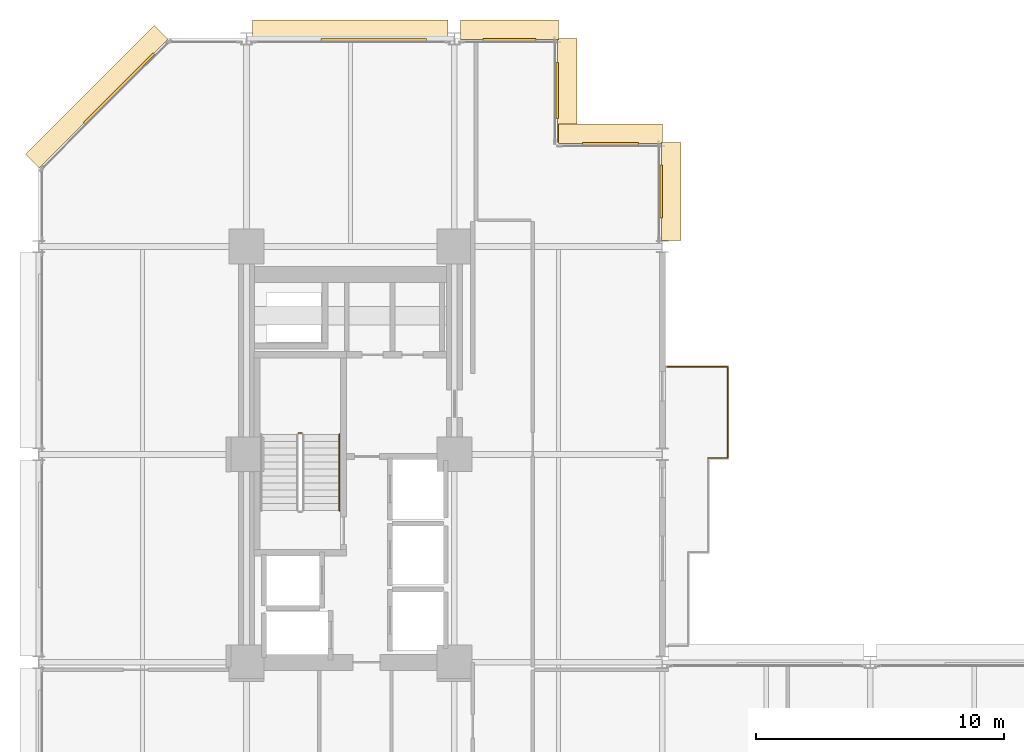
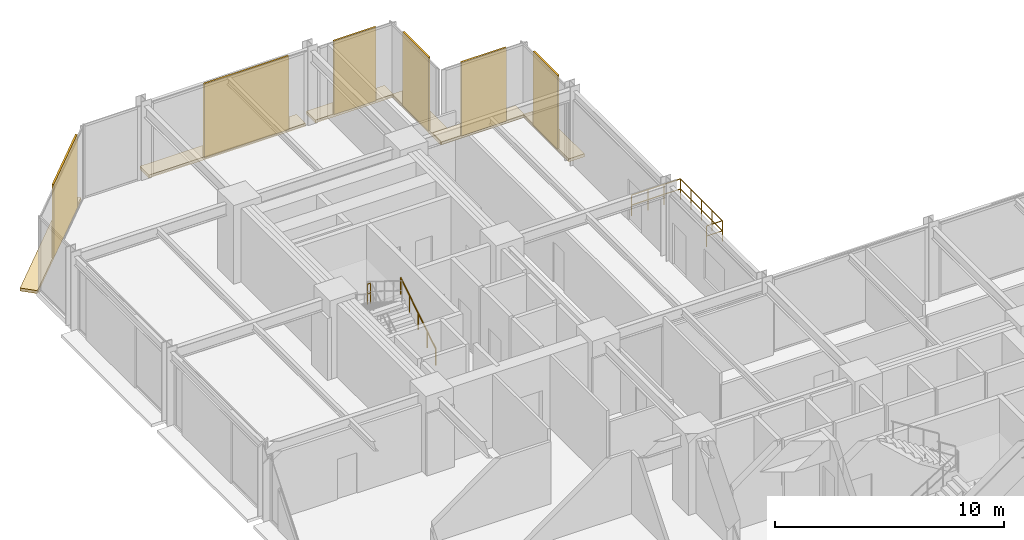
# One storey, part 25 of 25: 12 coverings, 5 railings.
"""IFC4 building model written with IfcOpenShell, lengths in metres."""

import ifcopenshell
import ifcopenshell.guid

model = None  # the IFC model being written
_history = None  # IfcOwnerHistory: only IFC2X3 demands one
_inside = {}  # id of a spatial element -> (the spatial element, [elements in it])
_under = {}  # id of a project, library or spatial element -> (it, [spatial elements below it])
_declared = {}  # id of a project -> (the project, [libraries it declares])
_typed = {}  # id of a type object -> (the type object, [elements of that type])
_made_of = {}  # id of a material, layer set ... -> (it, [elements and type objects made of it])


def new_model(schema):
    """Start an empty IFC model of exactly this schema.

    Asked for "IFC4X3", IfcOpenShell would pick the latest addendum, in which some entities
    have other attributes; the version numbers below select the first issue.
    IFC2X3 requires an IfcOwnerHistory on every rooted entity: one is made here for all.
    """
    global model, _history
    if schema == "IFC4X3":
        model = ifcopenshell.file(schema_version=(4, 3, 0, 0))
    else:
        model = ifcopenshell.file(schema=schema)
    _inside.clear()
    _under.clear()
    _declared.clear()
    _typed.clear()
    _made_of.clear()
    _history = None
    if model.schema == "IFC2X3":
        org = make("IfcOrganization", Name="unknown")
        user = make(
            "IfcPersonAndOrganization",
            ThePerson=make("IfcPerson", FamilyName="unknown"),
            TheOrganization=org,
        )
        app = make(
            "IfcApplication",
            ApplicationDeveloper=org,
            Version="unknown",
            ApplicationFullName="unknown",
            ApplicationIdentifier="unknown",
        )
        _history = make(
            "IfcOwnerHistory",
            OwningUser=user,
            OwningApplication=app,
            ChangeAction="ADDED",
            CreationDate=0,
        )
    return model


def make(cls, **values):
    """One entity of the class cls with the attributes given. An attribute that is None is left unset."""
    return model.create_entity(
        cls, **{name: value for name, value in values.items() if value is not None}
    )


def rooted(cls, **values):
    """An entity with a GlobalId (a new one), such as an element, a storey or a relation."""
    return make(cls, GlobalId=ifcopenshell.guid.new(), OwnerHistory=_history, **values)


def si_unit(unit_type, name, prefix=None):
    """IfcSIUnit, for example si_unit("LENGTHUNIT", "METRE", prefix="MILLI")."""
    return make("IfcSIUnit", UnitType=unit_type, Prefix=prefix, Name=name)


def assignment(units):
    """IfcUnitAssignment: the units of a project."""
    return None if units is None else make("IfcUnitAssignment", Units=units)


def point(xyz):
    """IfcCartesianPoint."""
    return None if xyz is None else make("IfcCartesianPoint", Coordinates=xyz)


def direction(xyz):
    """IfcDirection."""
    return None if xyz is None else make("IfcDirection", DirectionRatios=xyz)


def frame(location, z_axis=None, x_axis=None):
    """IfcAxis2Placement3D, a coordinate frame: its origin and axes. An axis left out is left unset."""
    return make(
        "IfcAxis2Placement3D",
        Location=point(location),
        Axis=direction(z_axis),
        RefDirection=direction(x_axis),
    )


def frame_2d(location, x_axis=None):
    """IfcAxis2Placement2D, a coordinate frame in the plane: its origin and x axis."""
    return make(
        "IfcAxis2Placement2D", Location=point(location), RefDirection=direction(x_axis)
    )


def origin():
    """The frame at (0, 0, 0) with its axes left unset."""
    return frame((0.0, 0.0, 0.0))


def origin_2d():
    """The frame at (0, 0) in the plane with its x axis left unset."""
    return frame_2d((0.0, 0.0))


def place(relative_to, where):
    """IfcLocalPlacement: puts the frame where relative to a parent placement (None: the world)."""
    return make(
        "IfcLocalPlacement", PlacementRelTo=relative_to, RelativePlacement=where
    )


def context(
    kind, dimensions, precision=None, world=None, true_north=None, identifier=None
):
    """IfcGeometricRepresentationContext, for example the 3D "Model" context."""
    return make(
        "IfcGeometricRepresentationContext",
        ContextIdentifier=identifier,
        ContextType=kind,
        CoordinateSpaceDimension=dimensions,
        Precision=precision,
        WorldCoordinateSystem=world,
        TrueNorth=true_north,
    )


def subcontext(parent, identifier, kind, view, scale=None):
    """IfcGeometricRepresentationSubContext, for example "Body" below "Model"."""
    return make(
        "IfcGeometricRepresentationSubContext",
        ContextIdentifier=identifier,
        ContextType=kind,
        ParentContext=parent,
        TargetScale=scale,
        TargetView=view,
    )


def project(units=None, contexts=None):
    """IfcProject with its units and contexts."""
    return rooted(
        "IfcProject",
        Name="project",
        RepresentationContexts=contexts,
        UnitsInContext=assignment(units),
    )


def spatial(cls, under=None, at=None, **own):
    """A site, building, storey or space (cls), placed at a placement, below another one or the project."""
    s = rooted(cls, ObjectPlacement=at, **own)
    if under is not None:
        _under.setdefault(under.id(), (under, []))[1].append(s)
    return s


def polyline(points):
    """IfcPolyline through the points."""
    return make("IfcPolyline", Points=[point(p) for p in points])


def profile(cls, at=None, kind="AREA", **sizes):
    """A parametric profile (cls). Its sizes go by their IFC names, for example OverallWidth=200.0."""
    return make(cls, ProfileType=kind, Position=at, **sizes)


def rectangle(**sizes):
    """IfcRectangleProfileDef."""
    return profile("IfcRectangleProfileDef", **sizes)


def circle(**sizes):
    """IfcCircleProfileDef."""
    return profile("IfcCircleProfileDef", **sizes)


def outline(outer, holes=None, kind="AREA"):
    """IfcArbitraryClosedProfileDef: a profile drawn as a closed curve; with holes, ...WithVoids."""
    if holes is None:
        return make("IfcArbitraryClosedProfileDef", ProfileType=kind, OuterCurve=outer)
    return make(
        "IfcArbitraryProfileDefWithVoids",
        ProfileType=kind,
        OuterCurve=outer,
        InnerCurves=holes,
    )


def extrude(swept, where, along, depth):
    """IfcExtrudedAreaSolid: the profile swept, set in the frame where, extruded along a direction by depth."""
    return make(
        "IfcExtrudedAreaSolid",
        SweptArea=swept,
        Position=where,
        ExtrudedDirection=direction(along),
        Depth=depth,
    )


def shape(context_of_items, identifier, shape_type, items):
    """IfcShapeRepresentation: the items that make up one representation, for example the "Body"."""
    return make(
        "IfcShapeRepresentation",
        ContextOfItems=context_of_items,
        RepresentationIdentifier=identifier,
        RepresentationType=shape_type,
        Items=items,
    )


def material(Name=None, Category=None):
    """IfcMaterial."""
    return make("IfcMaterial", Name=Name, Category=Category)


def layer(
    of_material, thickness, ventilated=None, Name=None, Category=None, Priority=None
):
    """IfcMaterialLayer: one layer of a wall or slab, of a material (None: an air gap)."""
    return make(
        "IfcMaterialLayer",
        Material=of_material,
        LayerThickness=thickness,
        IsVentilated=ventilated,
        Name=Name,
        Category=Category,
        Priority=Priority,
    )


def layer_set(layers, Name=None):
    """IfcMaterialLayerSet."""
    return make("IfcMaterialLayerSet", MaterialLayers=layers, LayerSetName=Name)


def made_of(thing, what):
    """Note that an element or type object is made of a material, layer set ...; save() writes the relation."""
    if what is not None:
        _made_of.setdefault(what.id(), (what, []))[1].append(thing)
    return thing


def type_object(cls, material=None, **own):
    """A type object (cls), such as IfcWallType, which elements share."""
    return made_of(rooted(cls, **own), material)


def element(
    cls,
    number,
    at=None,
    inside=None,
    cuts=None,
    type_object=None,
    material=None,
    context=None,
    identifier="Body",
    shape_type=None,
    held_by="IfcProductDefinitionShape",
    body=None,
    shapes=None,
    **own,
):
    """One element of the class cls, such as IfcWall. Its Tag is "e" and its number.

    at: its placement. inside: the storey or other place that contains it. cuts: it is an
    opening in that element (IfcRelVoidsElement). A single representation is given by context,
    identifier, shape_type and body (its items); several are given by shapes. held_by: the class
    of the entity that holds the representations. save() writes the other relations.
    """
    e = rooted(cls, Tag="e%d" % number, ObjectPlacement=at, **own)
    if body is not None:
        shapes = [shape(context, identifier, shape_type, body)]
    if shapes is not None:
        e.Representation = make(held_by, Representations=shapes)
    if inside is not None:
        _inside.setdefault(inside.id(), (inside, []))[1].append(e)
    if cuts is not None:
        rooted(
            "IfcRelVoidsElement", RelatingBuildingElement=cuts, RelatedOpeningElement=e
        )
    if type_object is not None:
        _typed.setdefault(type_object.id(), (type_object, []))[1].append(e)
    return made_of(e, material)


def aggregate(whole, parts):
    """IfcRelAggregates: a whole, such as a stair, and the parts it consists of."""
    return rooted("IfcRelAggregates", RelatingObject=whole, RelatedObjects=parts)


def save(model, path):
    """Write the relations noted so far, then the file.

    IfcRelAggregates (storeys below a building ...), IfcRelContainedInSpatialStructure (elements
    in a storey), IfcRelDefinesByType, IfcRelAssociatesMaterial and IfcRelDeclares: one each for
    every whole, place, type object, material and project.
    """
    for whole, parts in _under.values():
        aggregate(whole, parts)
    for where, things in _inside.values():
        rooted(
            "IfcRelContainedInSpatialStructure",
            RelatedElements=things,
            RelatingStructure=where,
        )
    for kind, things in _typed.values():
        rooted("IfcRelDefinesByType", RelatedObjects=things, RelatingType=kind)
    for what, things in _made_of.values():
        rooted("IfcRelAssociatesMaterial", RelatedObjects=things, RelatingMaterial=what)
    for by, libraries in _declared.values():
        rooted("IfcRelDeclares", RelatingContext=by, RelatedDefinitions=libraries)
    model.write(path)


model = new_model("IFC4")

# Units and contexts
model_context = context("Model", 3, precision=1e-05, world=origin(), true_north=direction((0.0, 1.0)))
body_context = subcontext(model_context, "Body", "Model", "MODEL_VIEW")
ifc_project = project(units=[si_unit("LENGTHUNIT", "METRE"), si_unit("AREAUNIT", "SQUARE_METRE"), si_unit("VOLUMEUNIT", "CUBIC_METRE"), si_unit("PLANEANGLEUNIT", "RADIAN"), si_unit("MASSUNIT", "GRAM", prefix="KILO")], contexts=[model_context])

# Site, building, storey
site_placement = place(None, origin())
site = spatial("IfcSite", under=ifc_project, at=site_placement, CompositionType="ELEMENT")
building_placement = place(site_placement, origin())
building = spatial("IfcBuilding", under=site, at=building_placement, Name="Nerrivon Quay Data Exchange", CompositionType="ELEMENT")
storey_placement = place(building_placement, frame((0.0, 0.0, 41.60009765625)))
storey = spatial("IfcBuildingStorey", under=building, at=storey_placement, Name="L09", CompositionType="ELEMENT", Elevation=41.60009765625)

# Coverings
ifc_material_1 = material(Name="Architectural terracotta ceramic", Category="masonry")
ifc_layer_1 = layer(ifc_material_1, 0.159912109375)
ifc_layer_set_1 = layer_set([ifc_layer_1], Name="Architectural terracotta ceramic")
covering_type_1 = type_object("IfcCoveringType", Name="COV-BLD-TERR", PredefinedType="CLADDING", material=ifc_layer_set_1)
covering_1_placement = place(storey_placement, frame((0.0, 0.0, -0.16015625)))
element("IfcCovering", 1, at=covering_1_placement, inside=storey, type_object=covering_type_1, Name="L09 Horizontal Terracotta SOLAR SCREEN Blade", PredefinedType="CLADDING", context=body_context, shape_type="SweptSolid", body=[
    extrude(outline(polyline([(0.0283203125, 45.171630859375), (5.228271484375, 50.37158203125), (4.669677734375, 50.930419921875), (-0.5302734375, 45.730224609375), (0.0283203125, 45.171630859375)])), origin(), (0.0, 0.0, 1.0), 0.16015625),
])
covering_2_placement = place(storey_placement, frame((0.0, 0.0, -0.16015625)))
element("IfcCovering", 2, at=covering_2_placement, inside=storey, type_object=covering_type_1, Name="L09 Horizontal Terracotta SOLAR SCREEN Blade", PredefinedType="CLADDING", context=body_context, shape_type="SweptSolid", body=[
    extrude(outline(polyline([(8.64990234375, 50.360107421875), (16.550048828125, 50.360107421875), (16.550048828125, 51.14990234375), (8.64990234375, 51.14990234375), (8.64990234375, 50.360107421875)])), origin(), (0.0, 0.0, 1.0), 0.16015625),
])
covering_3_placement = place(storey_placement, frame((0.0, 0.0, -0.16015625)))
element("IfcCovering", 3, at=covering_3_placement, inside=storey, type_object=covering_type_1, Name="L09 Horizontal Terracotta SOLAR SCREEN Blade", PredefinedType="CLADDING", context=body_context, shape_type="SweptSolid", body=[
    extrude(outline(polyline([(17.050048828125, 50.360107421875), (21.0, 50.360107421875), (21.0, 51.14990234375), (17.050048828125, 51.14990234375), (17.050048828125, 50.360107421875)])), origin(), (0.0, 0.0, 1.0), 0.16015625),
])
covering_4_placement = place(storey_placement, frame((0.0, 0.0, -0.16015625)))
element("IfcCovering", 4, at=covering_4_placement, inside=storey, type_object=covering_type_1, Name="L09 Horizontal Terracotta SOLAR SCREEN Blade", PredefinedType="CLADDING", context=body_context, shape_type="SweptSolid", body=[
    extrude(outline(polyline([(20.9599609375, 50.39990234375), (20.9599609375, 46.199951171875), (21.75, 46.199951171875), (21.75, 50.39990234375), (20.9599609375, 50.39990234375)])), origin(), (0.0, 0.0, 1.0), 0.16015625),
])
covering_5_placement = place(storey_placement, frame((0.0, 0.0, -0.16015625)))
element("IfcCovering", 5, at=covering_5_placement, inside=storey, type_object=covering_type_1, Name="L09 Horizontal Terracotta SOLAR SCREEN Blade", PredefinedType="CLADDING", context=body_context, shape_type="SweptSolid", body=[
    extrude(outline(polyline([(21.0, 46.159912109375), (25.199951171875, 46.159912109375), (25.199951171875, 46.949951171875), (21.0, 46.949951171875), (21.0, 46.159912109375)])), origin(), (0.0, 0.0, 1.0), 0.16015625),
])
covering_6_placement = place(storey_placement, frame((0.0, 0.0, -0.16015625)))
element("IfcCovering", 6, at=covering_6_placement, inside=storey, type_object=covering_type_1, Name="L09 Horizontal Terracotta SOLAR SCREEN Blade", PredefinedType="CLADDING", context=body_context, shape_type="SweptSolid", body=[
    extrude(outline(polyline([(25.159912109375, 46.199951171875), (25.159912109375, 42.25), (25.949951171875, 42.25), (25.949951171875, 46.199951171875), (25.159912109375, 46.199951171875)])), origin(), (0.0, 0.0, 1.0), 0.16015625),
])
ifc_layer_2 = layer(ifc_material_1, 0.090087890625)
ifc_layer_set_2 = layer_set([ifc_layer_2], Name="Architectural terracotta ceramic")
covering_type_2 = type_object("IfcCoveringType", Name="COV-SCR-TERR", PredefinedType="CLADDING", material=ifc_layer_set_2)
covering_7_placement = place(storey_placement, frame((3.255859375, 48.39208984375, 0.0), z_axis=(0.0, 0.0, 1.0), x_axis=(0.707106781187, 0.707106781187, 0.0)))
element("IfcCovering", 7, at=covering_7_placement, inside=storey, type_object=covering_type_2, Name="L09 Perforated Terracotta SOLAR SCREEN Cassette", PredefinedType="CLADDING", context=body_context, shape_type="SweptSolid", body=[
    extrude(rectangle(XDim=3.970947265625, YDim=0.090087890625, at=origin_2d()), origin(), (0.0, 0.0, 1.0), 3.925048828125),
])
covering_8_placement = place(storey_placement, frame((13.548095703125, 50.35498046875, 0.0), z_axis=(0.0, 0.0, 1.0), x_axis=(1.0, 0.0, 0.0)))
element("IfcCovering", 8, at=covering_8_placement, inside=storey, type_object=covering_type_2, Name="L09 Perforated Terracotta SOLAR SCREEN Cassette", PredefinedType="CLADDING", context=body_context, shape_type="SweptSolid", body=[
    extrude(rectangle(XDim=4.26611328125, YDim=0.090087890625, at=origin_2d()), origin(), (0.0, 0.0, 1.0), 3.925048828125),
])
covering_9_placement = place(storey_placement, frame((19.02490234375, 50.35498046875, 0.0), z_axis=(0.0, 0.0, 1.0), x_axis=(1.0, 0.0, 0.0)))
element("IfcCovering", 9, at=covering_9_placement, inside=storey, type_object=covering_type_2, Name="L09 Perforated Terracotta SOLAR SCREEN Cassette", PredefinedType="CLADDING", context=body_context, shape_type="SweptSolid", body=[
    extrude(rectangle(XDim=2.133056640625, YDim=0.090087890625, at=origin_2d()), origin(), (0.0, 0.0, 1.0), 3.925048828125),
])
for number, where, z_axis, x_axis, name in (
    (10, (20.955078125, 48.300048828125, 0.0), (0.0, 0.0, 1.0), (0.0, -1.0, 0.0), "L09 Perforated Terracotta SOLAR SCREEN Cassette"),
    (11, (23.10009765625, 46.155029296875, 0.0), (0.0, 0.0, 1.0), (1.0, 0.0, 0.0), "L09 Perforated Terracotta SOLAR SCREEN Cassette"),
):
    element("IfcCovering", number, at=place(storey_placement, frame(where, z_axis=z_axis, x_axis=x_axis)), inside=storey, type_object=covering_type_2, Name=name, PredefinedType="CLADDING", context=body_context, shape_type="SweptSolid", body=[
        extrude(rectangle(XDim=2.26806640625, YDim=0.090087890625, at=origin_2d()), origin(), (0.0, 0.0, 1.0), 3.925048828125),
    ])
covering_10_placement = place(storey_placement, frame((25.155029296875, 44.22509765625, 0.0), z_axis=(0.0, 0.0, 1.0), x_axis=(0.0, -1.0, 0.0)))
element("IfcCovering", 12, at=covering_10_placement, inside=storey, type_object=covering_type_2, Name="L09 Perforated Terracotta SOLAR SCREEN Cassette", PredefinedType="CLADDING", context=body_context, shape_type="SweptSolid", body=[
    extrude(rectangle(XDim=2.133056640625, YDim=0.090087890625, at=origin_2d()), origin(), (0.0, 0.0, 1.0), 3.925048828125),
])

# Railings
ifc_material_2 = material(Name="Steel Grade C350L0 (350 MPa)", Category="steel")
railing_type_1 = type_object("IfcRailingType", Name="RAIL-GUARD-GR2", PredefinedType="BALUSTRADE", material=ifc_material_2)
railing_1_placement = place(storey_placement, frame((25.3798828125, 37.139892578125, 0.0)))
element("IfcRailing", 13, at=railing_1_placement, inside=storey, type_object=railing_type_1, Name="L09 Verandah Balcony Guard 1.3 1", PredefinedType="BALUSTRADE", context=body_context, shape_type="SweptSolid", body=[
    extrude(circle(Radius=0.02392578125, at=origin_2d()), frame((0.0, 0.0, 1.09619140625), z_axis=(1.0, 0.0, 0.0), x_axis=(0.0, 1.0, 0.0)), (0.0, 0.0, 1.0), 2.460205078125),
    extrude(circle(Radius=0.02392578125, at=origin_2d()), frame((0.0, 0.0, 0.56005859375), z_axis=(1.0, 0.0, 0.0), x_axis=(0.0, 1.0, 0.0)), (0.0, 0.0, 1.0), 2.460205078125),
    extrude(circle(Radius=0.02099609375, at=origin_2d()), origin(), (0.0, 0.0, 1.0), 1.072021484375),
    extrude(circle(Radius=0.02099609375, at=origin_2d()), frame((0.820068359375, 0.0, 0.0)), (0.0, 0.0, 1.0), 1.072021484375),
    extrude(circle(Radius=0.02099609375, at=origin_2d()), frame((1.64013671875, 0.0, 0.0)), (0.0, 0.0, 1.0), 1.072021484375),
    extrude(circle(Radius=0.02099609375, at=origin_2d()), frame((2.460205078125, 0.0, 0.0)), (0.0, 0.0, 1.0), 1.072021484375),
])
railing_2_placement = place(storey_placement, frame((27.840087890625, 37.139892578125, 0.0)))
element("IfcRailing", 14, at=railing_2_placement, inside=storey, type_object=railing_type_1, Name="L09 Verandah Balcony Guard 1.4 1", PredefinedType="BALUSTRADE", context=body_context, shape_type="SweptSolid", body=[
    extrude(circle(Radius=0.02392578125, at=origin_2d()), frame((0.0, 0.0, 1.09619140625), z_axis=(0.0, -1.0, 0.0), x_axis=(1.0, 0.0, 0.0)), (0.0, 0.0, 1.0), 3.679931640625),
    extrude(circle(Radius=0.02392578125, at=origin_2d()), frame((0.0, 0.0, 0.56005859375), z_axis=(0.0, -1.0, 0.0), x_axis=(1.0, 0.0, 0.0)), (0.0, 0.0, 1.0), 3.679931640625),
    extrude(circle(Radius=0.02099609375, at=origin_2d()), origin(), (0.0, 0.0, 1.0), 1.072021484375),
    extrude(circle(Radius=0.02099609375, at=origin_2d()), frame((0.0, -0.919921875, 0.0)), (0.0, 0.0, 1.0), 1.072021484375),
    extrude(circle(Radius=0.02099609375, at=origin_2d()), frame((0.0, -1.83984375, 0.0)), (0.0, 0.0, 1.0), 1.072021484375),
    extrude(circle(Radius=0.02099609375, at=origin_2d()), frame((0.0, -2.760009765625, 0.0)), (0.0, 0.0, 1.0), 1.072021484375),
    extrude(circle(Radius=0.02099609375, at=origin_2d()), frame((0.0, -3.679931640625, 0.0)), (0.0, 0.0, 1.0), 1.072021484375),
])
railing_3_placement = place(storey_placement, frame((27.840087890625, 33.4599609375, 0.0)))
element("IfcRailing", 15, at=railing_3_placement, inside=storey, type_object=railing_type_1, Name="L09 Verandah Balcony Guard 1.5 1", PredefinedType="BALUSTRADE", context=body_context, shape_type="SweptSolid", body=[
    extrude(circle(Radius=0.02392578125, at=origin_2d()), frame((0.0, 0.0, 1.09619140625), z_axis=(-1.0, 0.0, 0.0), x_axis=(0.0, -1.0, 0.0)), (0.0, 0.0, 1.0), 0.800048828125),
    extrude(circle(Radius=0.02392578125, at=origin_2d()), frame((0.0, 0.0, 0.56005859375), z_axis=(-1.0, 0.0, 0.0), x_axis=(0.0, -1.0, 0.0)), (0.0, 0.0, 1.0), 0.800048828125),
    extrude(circle(Radius=0.02099609375, at=origin_2d()), origin(), (0.0, 0.0, 1.0), 1.072021484375),
    extrude(circle(Radius=0.02099609375, at=origin_2d()), frame((-0.800048828125, 0.0, 0.0)), (0.0, 0.0, 1.0), 1.072021484375),
])
railing_type_2 = type_object("IfcRailingType", Name="RAIL-HAND-HR1", PredefinedType="HANDRAIL", material=ifc_material_2)
railing_4_placement = place(storey_placement, frame((12.14990234375, 31.330078125, 0.1748046875)))
element("IfcRailing", 16, at=railing_4_placement, inside=storey, type_object=railing_type_2, Name="L09 ST01 stair handrail 1", PredefinedType="HANDRAIL", context=body_context, shape_type="SweptSolid", body=[
    extrude(circle(Radius=0.02392578125, at=origin_2d()), frame((0.0, 0.0, 0.8759765625), z_axis=(0.0, 0.847979421464, 0.530029150871), x_axis=(-1.0, 0.0, 0.0)), (0.0, 0.0, 1.0), 3.632080078125),
    extrude(circle(Radius=0.02099609375, at=origin_2d()), origin(), (0.0, 0.0, 1.0), 0.851806640625),
    extrude(circle(Radius=0.02099609375, at=origin_2d()), frame((0.0, 0.77001953125, 0.481201171875)), (0.0, 0.0, 1.0), 0.851806640625),
    extrude(circle(Radius=0.02099609375, at=origin_2d()), frame((0.0, 1.5400390625, 0.96240234375)), (0.0, 0.0, 1.0), 0.851806640625),
    extrude(circle(Radius=0.02099609375, at=origin_2d()), frame((0.0, 2.309814453125, 1.44384765625)), (0.0, 0.0, 1.0), 0.851806640625),
    extrude(circle(Radius=0.02099609375, at=origin_2d()), frame((0.0, 3.079833984375, 1.925048828125)), (0.0, 0.0, 1.0), 0.851806640625),
])
railing_type_3 = type_object("IfcRailingType", Name="RAIL-STAIR-GR1", PredefinedType="BALUSTRADE", material=ifc_material_2)
railing_5_placement = place(storey_placement, frame((10.64990234375, 34.4599609375, 2.099853515625)))
element("IfcRailing", 17, at=railing_5_placement, inside=storey, type_object=railing_type_3, Name="L09 ST01 stair guard 2", PredefinedType="BALUSTRADE", context=body_context, shape_type="SweptSolid", body=[
    extrude(circle(Radius=0.02392578125, at=origin_2d()), frame((0.0, 0.0, 1.076171875), z_axis=(-1.0, 0.0, 0.0), x_axis=(0.0, -1.0, 0.0)), (0.0, 0.0, 1.0), 0.14990234375),
    extrude(circle(Radius=0.02392578125, at=origin_2d()), frame((0.0, 0.0, 0.550048828125), z_axis=(-1.0, 0.0, 0.0), x_axis=(0.0, -1.0, 0.0)), (0.0, 0.0, 1.0), 0.14990234375),
    extrude(circle(Radius=0.02099609375, at=origin_2d()), origin(), (0.0, 0.0, 1.0), 1.052001953125),
    extrude(circle(Radius=0.02099609375, at=origin_2d()), frame((-0.14990234375, 0.0, 0.0)), (0.0, 0.0, 1.0), 1.052001953125),
])

save(model, "model.ifc")
